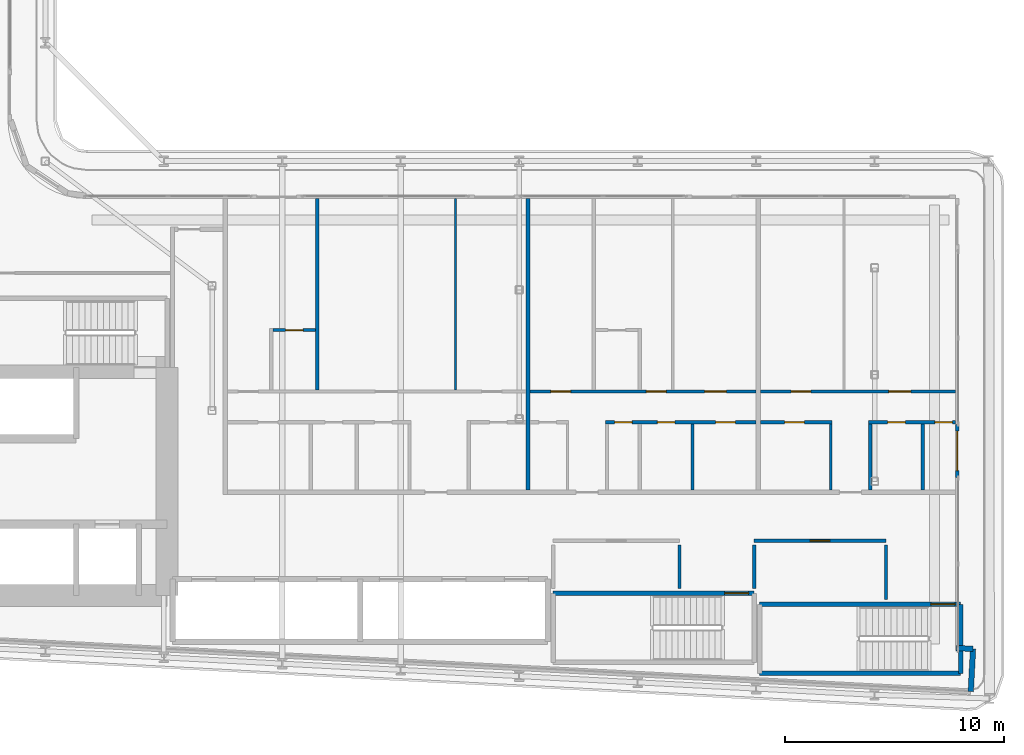
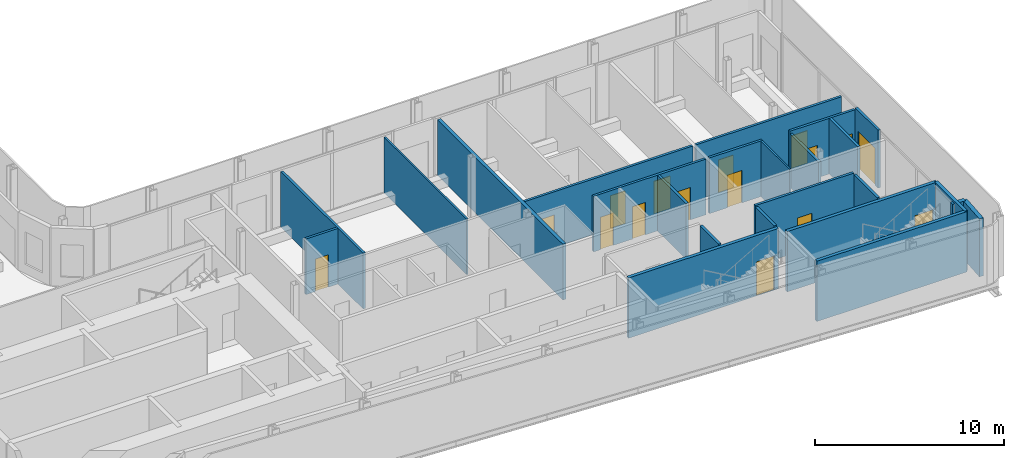
# One storey, part 14 of 25: 24 walls, 16 doors, 16 openings.
"""IFC4 building model written with IfcOpenShell, lengths in metres."""

from ifc_helpers import new_model, si_unit, direction, frame, frame_2d, origin, place, context, subcontext, project, spatial, rectangle, extrude, source, transform, mapped, material, layer, layer_set, type_object, element, fill, save


model = new_model("IFC4")

# Units and contexts
model_context = context("Model", 3, precision=1e-05, world=origin(), true_north=direction((0.0, 1.0)))
body_context = subcontext(model_context, "Body", "Model", "MODEL_VIEW")
ifc_project = project(units=[si_unit("LENGTHUNIT", "METRE"), si_unit("AREAUNIT", "SQUARE_METRE"), si_unit("VOLUMEUNIT", "CUBIC_METRE"), si_unit("PLANEANGLEUNIT", "RADIAN"), si_unit("MASSUNIT", "GRAM", prefix="KILO")], contexts=[model_context])

# Site, building, storey
site_placement = place(None, origin())
site = spatial("IfcSite", under=ifc_project, at=site_placement, CompositionType="ELEMENT")
building_placement = place(site_placement, origin())
building = spatial("IfcBuilding", under=site, at=building_placement, Name="Kheshtan School and Residences Tower", CompositionType="ELEMENT")
storey_placement = place(building_placement, frame((0.0, 0.0, 34.39990234375)))
storey = spatial("IfcBuildingStorey", under=building, at=storey_placement, Name="L07", CompositionType="ELEMENT", Elevation=34.39990234375)

# Walls
ifc_material_1 = material(Name="Concrete C40/50 with ceramic cladding and mineral wool insulation", Category="concrete")
ifc_layer_1 = layer(ifc_material_1, 0.25)
ifc_layer_set_1 = layer_set([ifc_layer_1], Name="External wall 250 ceramic clad")
wall_type_1 = type_object("IfcWallType", Name="External wall 250 ceramic clad", PredefinedType="SOLIDWALL", material=ifc_layer_set_1)
wall_1_placement = place(storey_placement, frame((89.10693359375, 23.407958984375, 0.0), z_axis=(0.0, 0.0, 1.0), x_axis=(0.998561284263, -0.053622398031, 0.0)))
element("IfcWall", 1, at=wall_1_placement, inside=storey, type_object=wall_type_1, Name="External wall L07 14", PredefinedType="SOLIDWALL", context=body_context, shape_type="SweptSolid", body=[
    extrude(rectangle(XDim=0.783203125, YDim=0.25, at=frame_2d((0.3916015625, 0.0))), origin(), (0.0, 0.0, 1.0), 3.75),
])
wall_2_placement = place(storey_placement, frame((89.888916015625, 23.365966796875, 0.0), z_axis=(0.0, 0.0, 1.0), x_axis=(-0.052841433274, -0.998602915542, 0.0)))
element("IfcWall", 2, at=wall_2_placement, inside=storey, type_object=wall_type_1, Name="External wall L07 15", PredefinedType="SOLIDWALL", context=body_context, shape_type="SweptSolid", body=[
    extrude(rectangle(XDim=1.94970703125, YDim=0.25, at=frame_2d((0.974853515625, 0.0))), origin(), (0.0, 0.0, 1.0), 3.75),
])

# Wall, opening, door
ifc_material_2 = material(Name="Aluminium frame wall with insulated infill", Category="aluminium")
ifc_layer_2 = layer(ifc_material_2, 0.14990234375)
ifc_layer_set_2 = layer_set([ifc_layer_2], Name="Glazing frame wall 150")
wall_type_2 = type_object("IfcWallType", Name="Glazing frame wall 150", PredefinedType="SOLIDWALL", material=ifc_layer_set_2)
wall_3_placement = place(storey_placement, frame((89.175048828125, 33.591064453125, 0.0), z_axis=(0.0, 0.0, 1.0), x_axis=(0.0, -1.0, 0.0)))
wall_3 = element("IfcWall", 3, at=wall_3_placement, inside=storey, type_object=wall_type_2, Name="Balcony door wall L07 13.2", PredefinedType="SOLIDWALL", context=body_context, shape_type="SweptSolid", body=[
    extrude(rectangle(XDim=2.400146484375, YDim=0.14990234375, at=frame_2d((1.2001953125, 0.0))), origin(), (0.0, 0.0, 1.0), 3.75),
])
opening_1_placement = place(wall_3_placement, frame((0.300048828125, 0.0, 0.0)))
opening_1 = element("IfcOpeningElement", 4, at=opening_1_placement, cuts=wall_3, Name="Opening BD", PredefinedType="OPENING", context=body_context, shape_type="SweptSolid", body=[
    extrude(rectangle(XDim=1.800048828125, YDim=2.39990234375, at=frame_2d((0.89990234375, 1.199951171875))), frame((0.0, 0.0849609375, 0.0), z_axis=(0.0, -1.0, 0.0), x_axis=(1.0, 0.0, 0.0)), (0.0, 0.0, 1.0), 0.169921875),
])
ifc_material_3 = material(Name="Clear low-e glass in thermally broken aluminium frame", Category="aluminium")
door_type_1 = type_object("IfcDoorType", Name="Balcony sliding door", OperationType="SLIDING_TO_LEFT", PredefinedType="DOOR", material=ifc_material_3)
shared_shape_1 = source(origin(), body_context, "Body", "SweptSolid", [
    extrude(rectangle(XDim=1.800048828125, YDim=2.39990234375, at=frame_2d((0.89990234375, 1.199951171875))), frame((0.0, 0.02490234375, 0.0), z_axis=(0.0, -1.0, 0.0), x_axis=(1.0, 0.0, 0.0)), (0.0, 0.0, 1.0), 0.050048828125),
])
door_1_placement = place(opening_1_placement, origin())
door_1 = element("IfcDoor", 5, at=door_1_placement, inside=storey, type_object=door_type_1, Name="Balcony door L07 13.2", OperationType="SLIDING_TO_LEFT", OverallHeight=2.39990234375, OverallWidth=1.800048828125, PredefinedType="DOOR", context=body_context, shape_type="MappedRepresentation", body=[
    mapped(shared_shape_1, transform((0.0, 0.0, 0.0), x_axis=(1.0, 0.0, 0.0), y_axis=(0.0, 1.0, 0.0), z_axis=(0.0, 0.0, 1.0), scale=1.0)),
])
fill(opening_1, door_1)

# Walls
ifc_material_4 = material(Name="Gypsum board on steel studs", Category="steel")
ifc_layer_3 = layer(ifc_material_4, 0.10009765625)
ifc_layer_set_3 = layer_set([ifc_layer_3], Name="Gypsum partition 100")
wall_type_3 = type_object("IfcWallType", Name="Gypsum partition 100", PredefinedType="PARTITIONING", material=ifc_layer_set_3)
wall_4_placement = place(storey_placement, frame((66.300048828125, 35.175048828125, 0.0), z_axis=(0.0, 0.0, 1.0), x_axis=(0.0, 1.0, 0.0)))
element("IfcWall", 6, at=wall_4_placement, inside=storey, type_object=wall_type_3, Name="Partition L07-057", PredefinedType="PARTITIONING", context=body_context, shape_type="SweptSolid", body=[
    extrude(rectangle(XDim=8.724853515625, YDim=0.10009765625, at=frame_2d((4.3623046875, 0.0))), origin(), (0.0, 0.0, 1.0), 3.60009765625),
])
wall_5_placement = place(storey_placement, frame((83.39990234375, 30.60009765625, 0.0), z_axis=(0.0, 0.0, 1.0), x_axis=(0.0, 1.0, 0.0)))
element("IfcWall", 7, at=wall_5_placement, inside=storey, type_object=wall_type_3, Name="Partition L07-075", PredefinedType="PARTITIONING", context=body_context, shape_type="SweptSolid", body=[
    extrude(rectangle(XDim=3.02490234375, YDim=0.10009765625, at=frame_2d((1.512451171875, 0.0))), origin(), (0.0, 0.0, 1.0), 3.60009765625),
])
ifc_material_5 = material(Name="Fire-board shaft wall system")
ifc_layer_4 = layer(ifc_material_5, 0.14990234375)
ifc_layer_set_4 = layer_set([ifc_layer_4], Name="Service room wall 150")
wall_type_4 = type_object("IfcWallType", Name="Service room wall 150", PredefinedType="PARTITIONING", material=ifc_layer_set_4)
wall_6_placement = place(storey_placement, frame((76.510009765625, 26.1201171875, 0.0), z_axis=(0.0, 0.0, 1.0), x_axis=(0.0, 1.0, 0.0)))
element("IfcWall", 8, at=wall_6_placement, inside=storey, type_object=wall_type_4, Name="Service room wall", PredefinedType="PARTITIONING", context=body_context, shape_type="SweptSolid", body=[
    extrude(rectangle(XDim=1.98486328125, YDim=0.14990234375, at=frame_2d((0.992431640625, 0.0))), origin(), (0.0, 0.0, 1.0), 3.900146484375),
])

# Wall, opening, door
wall_7_placement = place(storey_placement, frame((79.909912109375, 28.300048828125, 0.0), z_axis=(0.0, 0.0, 1.0), x_axis=(1.0, 0.0, 0.0)))
wall_7 = element("IfcWall", 9, at=wall_7_placement, inside=storey, type_object=wall_type_4, Name="Service room wall", PredefinedType="PARTITIONING", context=body_context, shape_type="SweptSolid", body=[
    extrude(rectangle(XDim=6.010009765625, YDim=0.14990234375, at=frame_2d((3.0048828125, 0.0))), origin(), (0.0, 0.0, 1.0), 3.900146484375),
])
opening_2_placement = place(wall_7_placement, frame((2.554931640625, 0.0, 0.0)))
opening_2 = element("IfcOpeningElement", 10, at=opening_2_placement, cuts=wall_7, Name="Opening SR90", PredefinedType="OPENING", context=body_context, shape_type="SweptSolid", body=[
    extrude(rectangle(XDim=0.89990234375, YDim=2.199951171875, at=frame_2d((0.449951171875, 1.10009765625))), frame((0.0, 0.0849609375, 0.0), z_axis=(0.0, -1.0, 0.0), x_axis=(1.0, 0.0, 0.0)), (0.0, 0.0, 1.0), 0.169921875),
])
ifc_material_6 = material(Name="Steel door leaf, galvanised", Category="steel")
door_type_2 = type_object("IfcDoorType", Name="Service room door 900 steel 90 min", OperationType="SINGLE_SWING_LEFT", PredefinedType="DOOR", material=ifc_material_6)
shared_shape_2 = source(origin(), body_context, "Body", "SweptSolid", [
    extrude(rectangle(XDim=0.89990234375, YDim=2.199951171875, at=frame_2d((0.449951171875, 1.10009765625))), frame((0.0, 0.02490234375, 0.0), z_axis=(0.0, -1.0, 0.0), x_axis=(1.0, 0.0, 0.0)), (0.0, 0.0, 1.0), 0.050048828125),
])
door_2_placement = place(opening_2_placement, origin())
door_2 = element("IfcDoor", 11, at=door_2_placement, inside=storey, type_object=door_type_2, Name="Service room door", OperationType="SINGLE_SWING_LEFT", OverallHeight=2.199951171875, OverallWidth=0.89990234375, PredefinedType="DOOR", context=body_context, shape_type="MappedRepresentation", body=[
    mapped(shared_shape_2, transform((0.0, 0.0, 0.0), x_axis=(1.0, 0.0, 0.0), y_axis=(0.0, 1.0, 0.0), z_axis=(0.0, 0.0, 1.0), scale=1.0)),
])
fill(opening_2, door_2)

# Walls
wall_8_placement = place(storey_placement, frame((79.909912109375, 26.1201171875, 0.0), z_axis=(0.0, 0.0, 1.0), x_axis=(0.0, 1.0, 0.0)))
element("IfcWall", 12, at=wall_8_placement, inside=storey, type_object=wall_type_4, Name="Service room wall", PredefinedType="PARTITIONING", context=body_context, shape_type="SweptSolid", body=[
    extrude(rectangle(XDim=1.98486328125, YDim=0.14990234375, at=frame_2d((0.992431640625, 0.0))), origin(), (0.0, 0.0, 1.0), 3.900146484375),
])
wall_9_placement = place(storey_placement, frame((85.919921875, 25.6201171875, 0.0), z_axis=(0.0, 0.0, 1.0), x_axis=(0.0, 1.0, 0.0)))
element("IfcWall", 13, at=wall_9_placement, inside=storey, type_object=wall_type_4, Name="Service room wall", PredefinedType="PARTITIONING", context=body_context, shape_type="SweptSolid", body=[
    extrude(rectangle(XDim=2.48486328125, YDim=0.14990234375, at=frame_2d((1.242431640625, 0.0))), origin(), (0.0, 0.0, 1.0), 3.900146484375),
])
ifc_material_7 = material(Name="Concrete C40/50", Category="concrete")
ifc_layer_5 = layer(ifc_material_7, 0.199951171875)
ifc_layer_set_5 = layer_set([ifc_layer_5], Name="Stair enclosure wall 200 Concrete C40/50")
wall_type_5 = type_object("IfcWallType", Name="Stair enclosure wall 200 Concrete C40/50", PredefinedType="SHEAR", material=ifc_layer_set_5)
wall_10_placement = place(storey_placement, frame((80.159912109375, 22.25, 0.0), z_axis=(0.0, 0.0, 1.0), x_axis=(1.0, 0.0, 0.0)))
element("IfcWall", 14, at=wall_10_placement, inside=storey, type_object=wall_type_5, Name="Stair enclosure wall ST4", PredefinedType="SHEAR", context=body_context, shape_type="SweptSolid", body=[
    extrude(rectangle(XDim=9.16015625, YDim=0.199951171875, at=frame_2d((4.580078125, 0.0))), origin(), (0.0, 0.0, 1.0), 3.900146484375),
])

# Wall, opening, door
wall_11_placement = place(storey_placement, frame((80.159912109375, 25.39990234375, 0.0), z_axis=(0.0, 0.0, 1.0), x_axis=(1.0, 0.0, 0.0)))
wall_11 = element("IfcWall", 15, at=wall_11_placement, inside=storey, type_object=wall_type_5, Name="Stair enclosure wall ST4", PredefinedType="SHEAR", context=body_context, shape_type="SweptSolid", body=[
    extrude(rectangle(XDim=9.16015625, YDim=0.199951171875, at=frame_2d((4.580078125, 0.0))), origin(), (0.0, 0.0, 1.0), 3.900146484375),
])
opening_3_placement = place(wall_11_placement, frame((7.81005859375, 0.0, 0.0)))
opening_3 = element("IfcOpeningElement", 16, at=opening_3_placement, cuts=wall_11, Name="Opening ST4D", PredefinedType="OPENING", context=body_context, shape_type="SweptSolid", body=[
    extrude(rectangle(XDim=1.10009765625, YDim=2.199951171875, at=frame_2d((0.550048828125, 1.10009765625))), frame((0.0, 0.10986328125, 0.0), z_axis=(0.0, -1.0, 0.0), x_axis=(1.0, 0.0, 0.0)), (0.0, 0.0, 1.0), 0.219970703125),
])
door_type_3 = type_object("IfcDoorType", Name="Stair door 1100 steel 90 min", OperationType="SINGLE_SWING_LEFT", PredefinedType="DOOR", material=ifc_material_6)
shared_shape_3 = source(origin(), body_context, "Body", "SweptSolid", [
    extrude(rectangle(XDim=1.10009765625, YDim=2.199951171875, at=frame_2d((0.550048828125, 1.10009765625))), frame((0.0, 0.02490234375, 0.0), z_axis=(0.0, -1.0, 0.0), x_axis=(1.0, 0.0, 0.0)), (0.0, 0.0, 1.0), 0.050048828125),
])
door_3_placement = place(opening_3_placement, origin())
door_3 = element("IfcDoor", 17, at=door_3_placement, inside=storey, type_object=door_type_3, Name="Stair ST4 door", OperationType="SINGLE_SWING_LEFT", OverallHeight=2.199951171875, OverallWidth=1.10009765625, PredefinedType="DOOR", context=body_context, shape_type="MappedRepresentation", body=[
    mapped(shared_shape_3, transform((0.0, 0.0, 0.0), x_axis=(1.0, 0.0, 0.0), y_axis=(0.0, 1.0, 0.0), z_axis=(0.0, 0.0, 1.0), scale=1.0)),
])
fill(opening_3, door_3)

# Wall
wall_12_placement = place(storey_placement, frame((89.320068359375, 22.25, 0.0), z_axis=(0.0, 0.0, 1.0), x_axis=(0.0, 1.0, 0.0)))
element("IfcWall", 18, at=wall_12_placement, inside=storey, type_object=wall_type_5, Name="Stair enclosure wall ST4", PredefinedType="SHEAR", context=body_context, shape_type="SweptSolid", body=[
    extrude(rectangle(XDim=3.14990234375, YDim=0.199951171875, at=frame_2d((1.574951171875, 0.0))), origin(), (0.0, 0.0, 1.0), 3.900146484375),
])

# Wall, opening, door
wall_13_placement = place(storey_placement, frame((70.75, 25.89990234375, 0.0), z_axis=(0.0, 0.0, 1.0), x_axis=(1.0, 0.0, 0.0)))
wall_13 = element("IfcWall", 19, at=wall_13_placement, inside=storey, type_object=wall_type_5, Name="Stair enclosure wall ST5", PredefinedType="SHEAR", context=body_context, shape_type="SweptSolid", body=[
    extrude(rectangle(XDim=9.159912109375, YDim=0.199951171875, at=frame_2d((4.580078125, 0.0))), origin(), (0.0, 0.0, 1.0), 3.900146484375),
])
opening_4_placement = place(wall_13_placement, frame((7.81005859375, 0.0, 0.0)))
opening_4 = element("IfcOpeningElement", 20, at=opening_4_placement, cuts=wall_13, Name="Opening ST5D", PredefinedType="OPENING", context=body_context, shape_type="SweptSolid", body=[
    extrude(rectangle(XDim=1.10009765625, YDim=2.199951171875, at=frame_2d((0.550048828125, 1.10009765625))), frame((0.0, 0.10986328125, 0.0), z_axis=(0.0, -1.0, 0.0), x_axis=(1.0, 0.0, 0.0)), (0.0, 0.0, 1.0), 0.219970703125),
])
door_4_placement = place(opening_4_placement, origin())
door_4 = element("IfcDoor", 21, at=door_4_placement, inside=storey, type_object=door_type_3, Name="Stair ST5 door", OperationType="SINGLE_SWING_LEFT", OverallHeight=2.199951171875, OverallWidth=1.10009765625, PredefinedType="DOOR", context=body_context, shape_type="MappedRepresentation", body=[
    mapped(shared_shape_3, transform((0.0, 0.0, 0.0), x_axis=(1.0, 0.0, 0.0), y_axis=(0.0, 1.0, 0.0), z_axis=(0.0, 0.0, 1.0), scale=1.0)),
])
fill(opening_4, door_4)

# Wall
ifc_material_8 = material(Name="Twin gypsum board on steel studs with mineral wool", Category="steel")
ifc_layer_6 = layer(ifc_material_8, 0.199951171875)
ifc_layer_set_6 = layer_set([ifc_layer_6], Name="Unit demising wall 200")
wall_type_6 = type_object("IfcWallType", Name="Unit demising wall 200", PredefinedType="PARTITIONING", material=ifc_layer_set_6)
wall_14_placement = place(storey_placement, frame((69.60009765625, 30.60009765625, 0.0), z_axis=(0.0, 0.0, 1.0), x_axis=(0.0, 1.0, 0.0)))
element("IfcWall", 22, at=wall_14_placement, inside=storey, type_object=wall_type_6, Name="Partition L07-060", PredefinedType="PARTITIONING", context=body_context, shape_type="SweptSolid", body=[
    extrude(rectangle(XDim=13.2998046875, YDim=0.199951171875, at=frame_2d((6.64990234375, 0.0))), origin(), (0.0, 0.0, 1.0), 3.60009765625),
])

# Wall, opening, door
ifc_material_9 = material(Name="Moisture-resistant gypsum board on steel studs", Category="steel")
ifc_layer_7 = layer(ifc_material_9, 0.14990234375)
ifc_layer_set_7 = layer_set([ifc_layer_7], Name="Wet-room partition 150")
wall_type_7 = type_object("IfcWallType", Name="Wet-room partition 150", PredefinedType="PARTITIONING", material=ifc_layer_set_7)
wall_15_placement = place(storey_placement, frame((57.97509765625, 37.89990234375, 0.0), z_axis=(0.0, 0.0, 1.0), x_axis=(1.0, 0.0, 0.0)))
wall_15 = element("IfcWall", 23, at=wall_15_placement, inside=storey, type_object=wall_type_7, Name="Partition L07-052", PredefinedType="PARTITIONING", context=body_context, shape_type="SweptSolid", body=[
    extrude(rectangle(XDim=1.949951171875, YDim=0.14990234375, at=frame_2d((0.97509765625, 0.0))), origin(), (0.0, 0.0, 1.0), 3.60009765625),
])
opening_5_placement = place(wall_15_placement, frame((0.574951171875, 0.0, 0.0)))
opening_5 = element("IfcOpeningElement", 24, at=opening_5_placement, cuts=wall_15, Name="Opening D06-003", PredefinedType="OPENING", context=body_context, shape_type="SweptSolid", body=[
    extrude(rectangle(XDim=0.800048828125, YDim=2.10009765625, at=frame_2d((0.39990234375, 1.050048828125))), frame((0.0, 0.0849609375, 0.0), z_axis=(0.0, -1.0, 0.0), x_axis=(1.0, 0.0, 0.0)), (0.0, 0.0, 1.0), 0.169921875),
])
ifc_material_10 = material(Name="Veneered timber door leaf", Category="wood")
door_type_4 = type_object("IfcDoorType", Name="Door 800 x 2100", OperationType="SINGLE_SWING_LEFT", PredefinedType="DOOR", material=ifc_material_10)
shared_shape_4 = source(origin(), body_context, "Body", "SweptSolid", [
    extrude(rectangle(XDim=0.800048828125, YDim=2.10009765625, at=frame_2d((0.39990234375, 1.050048828125))), frame((0.0, 0.02490234375, 0.0), z_axis=(0.0, -1.0, 0.0), x_axis=(1.0, 0.0, 0.0)), (0.0, 0.0, 1.0), 0.050048828125),
])
door_5_placement = place(opening_5_placement, origin())
door_5 = element("IfcDoor", 25, at=door_5_placement, inside=storey, type_object=door_type_4, Name="Door D06-003", OperationType="SINGLE_SWING_LEFT", OverallHeight=2.10009765625, OverallWidth=0.800048828125, PredefinedType="DOOR", context=body_context, shape_type="MappedRepresentation", body=[
    mapped(shared_shape_4, transform((0.0, 0.0, 0.0), x_axis=(1.0, 0.0, 0.0), y_axis=(0.0, 1.0, 0.0), z_axis=(0.0, 0.0, 1.0), scale=1.0)),
])
fill(opening_5, door_5)

# Wall
wall_16_placement = place(storey_placement, frame((60.0, 35.175048828125, 0.0), z_axis=(0.0, 0.0, 1.0), x_axis=(0.0, 1.0, 0.0)))
element("IfcWall", 26, at=wall_16_placement, inside=storey, type_object=wall_type_7, Name="Partition L07-054", PredefinedType="PARTITIONING", context=body_context, shape_type="SweptSolid", body=[
    extrude(rectangle(XDim=8.724853515625, YDim=0.14990234375, at=frame_2d((4.3623046875, 0.0))), origin(), (0.0, 0.0, 1.0), 3.60009765625),
])

# Wall, openings, doors
wall_17_placement = place(storey_placement, frame((69.699951171875, 35.10009765625, 0.0), z_axis=(0.0, 0.0, 1.0), x_axis=(1.0, 0.0, 0.0)))
wall_17 = element("IfcWall", 27, at=wall_17_placement, inside=storey, type_object=wall_type_7, Name="Partition L07-062", PredefinedType="PARTITIONING", context=body_context, shape_type="SweptSolid", body=[
    extrude(rectangle(XDim=10.300048828125, YDim=0.14990234375, at=frame_2d((5.14990234375, 0.0))), origin(), (0.0, 0.0, 1.0), 3.60009765625),
])
opening_6_placement = place(wall_17_placement, frame((0.949951171875, 0.0, 0.0)))
opening_6 = element("IfcOpeningElement", 28, at=opening_6_placement, cuts=wall_17, Name="Opening D06-011", PredefinedType="OPENING", context=body_context, shape_type="SweptSolid", body=[
    extrude(rectangle(XDim=0.89990234375, YDim=2.10009765625, at=frame_2d((0.449951171875, 1.050048828125))), frame((0.0, 0.0849609375, 0.0), z_axis=(0.0, -1.0, 0.0), x_axis=(1.0, 0.0, 0.0)), (0.0, 0.0, 1.0), 0.169921875),
])
opening_7_placement = place(wall_17_placement, frame((7.949951171875, 0.0, 0.0)))
opening_7 = element("IfcOpeningElement", 29, at=opening_7_placement, cuts=wall_17, Name="Opening D06-015", PredefinedType="OPENING", context=body_context, shape_type="SweptSolid", body=[
    extrude(rectangle(XDim=1.0, YDim=2.10009765625, at=frame_2d((0.5, 1.050048828125))), frame((0.0, 0.0849609375, 0.0), z_axis=(0.0, -1.0, 0.0), x_axis=(1.0, 0.0, 0.0)), (0.0, 0.0, 1.0), 0.169921875),
])
opening_8_placement = place(wall_17_placement, frame((5.300048828125, 0.0, 0.0)))
opening_8 = element("IfcOpeningElement", 30, at=opening_8_placement, cuts=wall_17, Name="Opening D06-016", PredefinedType="OPENING", context=body_context, shape_type="SweptSolid", body=[
    extrude(rectangle(XDim=0.89990234375, YDim=2.10009765625, at=frame_2d((0.449951171875, 1.050048828125))), frame((0.0, 0.0849609375, 0.0), z_axis=(0.0, -1.0, 0.0), x_axis=(1.0, 0.0, 0.0)), (0.0, 0.0, 1.0), 0.169921875),
])
door_type_5 = type_object("IfcDoorType", Name="Door 1000 x 2100", OperationType="SINGLE_SWING_LEFT", PredefinedType="DOOR", material=ifc_material_10)
shared_shape_5 = source(origin(), body_context, "Body", "SweptSolid", [
    extrude(rectangle(XDim=1.0, YDim=2.10009765625, at=frame_2d((0.5, 1.050048828125))), frame((0.0, 0.02490234375, 0.0), z_axis=(0.0, -1.0, 0.0), x_axis=(1.0, 0.0, 0.0)), (0.0, 0.0, 1.0), 0.050048828125),
])
door_6_placement = place(opening_7_placement, origin())
door_6 = element("IfcDoor", 31, at=door_6_placement, inside=storey, type_object=door_type_5, Name="Door D06-015", OperationType="SINGLE_SWING_LEFT", OverallHeight=2.10009765625, OverallWidth=1.0, PredefinedType="DOOR", context=body_context, shape_type="MappedRepresentation", body=[
    mapped(shared_shape_5, transform((0.0, 0.0, 0.0), x_axis=(1.0, 0.0, 0.0), y_axis=(0.0, 1.0, 0.0), z_axis=(0.0, 0.0, 1.0), scale=1.0)),
])
fill(opening_7, door_6)
door_type_6 = type_object("IfcDoorType", Name="Door 900 x 2100", OperationType="SINGLE_SWING_LEFT", PredefinedType="DOOR", material=ifc_material_10)
shared_shape_6 = source(origin(), body_context, "Body", "SweptSolid", [
    extrude(rectangle(XDim=0.89990234375, YDim=2.10009765625, at=frame_2d((0.449951171875, 1.050048828125))), frame((0.0, 0.02490234375, 0.0), z_axis=(0.0, -1.0, 0.0), x_axis=(1.0, 0.0, 0.0)), (0.0, 0.0, 1.0), 0.050048828125),
])
door_7_placement = place(opening_6_placement, origin())
door_7 = element("IfcDoor", 32, at=door_7_placement, inside=storey, type_object=door_type_6, Name="Door D06-011", OperationType="SINGLE_SWING_RIGHT", OverallHeight=2.10009765625, OverallWidth=0.89990234375, PredefinedType="DOOR", context=body_context, shape_type="MappedRepresentation", body=[
    mapped(shared_shape_6, transform((0.0, 0.0, 0.0), x_axis=(1.0, 0.0, 0.0), y_axis=(0.0, 1.0, 0.0), z_axis=(0.0, 0.0, 1.0), scale=1.0)),
])
fill(opening_6, door_7)
door_8_placement = place(opening_8_placement, origin())
door_8 = element("IfcDoor", 33, at=door_8_placement, inside=storey, type_object=door_type_6, Name="Door D06-016", OperationType="SINGLE_SWING_RIGHT", OverallHeight=2.10009765625, OverallWidth=0.89990234375, PredefinedType="DOOR", context=body_context, shape_type="MappedRepresentation", body=[
    mapped(shared_shape_6, transform((0.0, 0.0, 0.0), x_axis=(1.0, 0.0, 0.0), y_axis=(0.0, 1.0, 0.0), z_axis=(0.0, 0.0, 1.0), scale=1.0)),
])
fill(opening_8, door_8)

wall_18_placement = place(storey_placement, frame((73.125, 33.699951171875, 0.0), z_axis=(0.0, 0.0, 1.0), x_axis=(1.0, 0.0, 0.0)))
wall_18 = element("IfcWall", 34, at=wall_18_placement, inside=storey, type_object=wall_type_7, Name="Partition L07-066", PredefinedType="PARTITIONING", context=body_context, shape_type="SweptSolid", body=[
    extrude(rectangle(XDim=6.875, YDim=0.14990234375, at=frame_2d((3.4375, 0.0))), origin(), (0.0, 0.0, 1.0), 3.60009765625),
])
opening_9_placement = place(wall_18_placement, frame((2.375, 0.0, 0.0)))
opening_9 = element("IfcOpeningElement", 35, at=opening_9_placement, cuts=wall_18, Name="Opening D06-010", PredefinedType="OPENING", context=body_context, shape_type="SweptSolid", body=[
    extrude(rectangle(XDim=0.800048828125, YDim=2.10009765625, at=frame_2d((0.39990234375, 1.050048828125))), frame((0.0, 0.0849609375, 0.0), z_axis=(0.0, -1.0, 0.0), x_axis=(1.0, 0.0, 0.0)), (0.0, 0.0, 1.0), 0.169921875),
])
opening_10_placement = place(wall_18_placement, frame((5.02490234375, 0.0, 0.0)))
opening_10 = element("IfcOpeningElement", 36, at=opening_10_placement, cuts=wall_18, Name="Opening D06-014", PredefinedType="OPENING", context=body_context, shape_type="SweptSolid", body=[
    extrude(rectangle(XDim=0.89990234375, YDim=2.10009765625, at=frame_2d((0.449951171875, 1.050048828125))), frame((0.0, 0.0849609375, 0.0), z_axis=(0.0, -1.0, 0.0), x_axis=(1.0, 0.0, 0.0)), (0.0, 0.0, 1.0), 0.169921875),
])
opening_11_placement = place(wall_18_placement, frame((0.425048828125, 0.0, 0.0)))
opening_11 = element("IfcOpeningElement", 37, at=opening_11_placement, cuts=wall_18, Name="Opening D06-018", PredefinedType="OPENING", context=body_context, shape_type="SweptSolid", body=[
    extrude(rectangle(XDim=0.800048828125, YDim=2.10009765625, at=frame_2d((0.39990234375, 1.050048828125))), frame((0.0, 0.0849609375, 0.0), z_axis=(0.0, -1.0, 0.0), x_axis=(1.0, 0.0, 0.0)), (0.0, 0.0, 1.0), 0.169921875),
])
door_9_placement = place(opening_9_placement, origin())
door_9 = element("IfcDoor", 38, at=door_9_placement, inside=storey, type_object=door_type_4, Name="Door D06-010", OperationType="SINGLE_SWING_LEFT", OverallHeight=2.10009765625, OverallWidth=0.800048828125, PredefinedType="DOOR", context=body_context, shape_type="MappedRepresentation", body=[
    mapped(shared_shape_4, transform((0.0, 0.0, 0.0), x_axis=(1.0, 0.0, 0.0), y_axis=(0.0, 1.0, 0.0), z_axis=(0.0, 0.0, 1.0), scale=1.0)),
])
fill(opening_9, door_9)
door_10_placement = place(opening_11_placement, origin())
door_10 = element("IfcDoor", 39, at=door_10_placement, inside=storey, type_object=door_type_4, Name="Door D06-018", OperationType="SINGLE_SWING_LEFT", OverallHeight=2.10009765625, OverallWidth=0.800048828125, PredefinedType="DOOR", context=body_context, shape_type="MappedRepresentation", body=[
    mapped(shared_shape_4, transform((0.0, 0.0, 0.0), x_axis=(1.0, 0.0, 0.0), y_axis=(0.0, 1.0, 0.0), z_axis=(0.0, 0.0, 1.0), scale=1.0)),
])
fill(opening_11, door_10)
door_11_placement = place(opening_10_placement, origin())
door_11 = element("IfcDoor", 40, at=door_11_placement, inside=storey, type_object=door_type_6, Name="Door D06-014", OperationType="SINGLE_SWING_LEFT", OverallHeight=2.10009765625, OverallWidth=0.89990234375, PredefinedType="DOOR", context=body_context, shape_type="MappedRepresentation", body=[
    mapped(shared_shape_6, transform((0.0, 0.0, 0.0), x_axis=(1.0, 0.0, 0.0), y_axis=(0.0, 1.0, 0.0), z_axis=(0.0, 0.0, 1.0), scale=1.0)),
])
fill(opening_10, door_11)

# Wall
wall_19_placement = place(storey_placement, frame((77.10009765625, 30.60009765625, 0.0), z_axis=(0.0, 0.0, 1.0), x_axis=(0.0, 1.0, 0.0)))
element("IfcWall", 41, at=wall_19_placement, inside=storey, type_object=wall_type_7, Name="Partition L07-071", PredefinedType="PARTITIONING", context=body_context, shape_type="SweptSolid", body=[
    extrude(rectangle(XDim=3.02490234375, YDim=0.14990234375, at=frame_2d((1.512451171875, 0.0))), origin(), (0.0, 0.0, 1.0), 3.60009765625),
])

# Wall, opening, door
wall_20_placement = place(storey_placement, frame((80.199951171875, 33.699951171875, 0.0), z_axis=(0.0, 0.0, 1.0), x_axis=(1.0, 0.0, 0.0)))
wall_20 = element("IfcWall", 42, at=wall_20_placement, inside=storey, type_object=wall_type_7, Name="Partition L07-073", PredefinedType="PARTITIONING", context=body_context, shape_type="SweptSolid", body=[
    extrude(rectangle(XDim=3.25, YDim=0.14990234375, at=frame_2d((1.625, 0.0))), origin(), (0.0, 0.0, 1.0), 3.60009765625),
])
opening_12_placement = place(wall_20_placement, frame((1.10009765625, 0.0, 0.0)))
opening_12 = element("IfcOpeningElement", 43, at=opening_12_placement, cuts=wall_20, Name="Opening D06-022", PredefinedType="OPENING", context=body_context, shape_type="SweptSolid", body=[
    extrude(rectangle(XDim=0.89990234375, YDim=2.10009765625, at=frame_2d((0.449951171875, 1.050048828125))), frame((0.0, 0.0849609375, 0.0), z_axis=(0.0, -1.0, 0.0), x_axis=(1.0, 0.0, 0.0)), (0.0, 0.0, 1.0), 0.169921875),
])
door_12_placement = place(opening_12_placement, origin())
door_12 = element("IfcDoor", 44, at=door_12_placement, inside=storey, type_object=door_type_6, Name="Door D06-022", OperationType="SINGLE_SWING_RIGHT", OverallHeight=2.10009765625, OverallWidth=0.89990234375, PredefinedType="DOOR", context=body_context, shape_type="MappedRepresentation", body=[
    mapped(shared_shape_6, transform((0.0, 0.0, 0.0), x_axis=(1.0, 0.0, 0.0), y_axis=(0.0, 1.0, 0.0), z_axis=(0.0, 0.0, 1.0), scale=1.0)),
])
fill(opening_12, door_12)

# Wall, openings, doors
wall_21_placement = place(storey_placement, frame((80.199951171875, 35.10009765625, 0.0), z_axis=(0.0, 0.0, 1.0), x_axis=(1.0, 0.0, 0.0)))
wall_21 = element("IfcWall", 45, at=wall_21_placement, inside=storey, type_object=wall_type_7, Name="Partition L07-074", PredefinedType="PARTITIONING", context=body_context, shape_type="SweptSolid", body=[
    extrude(rectangle(XDim=8.900146484375, YDim=0.14990234375, at=frame_2d((4.4501953125, 0.0))), origin(), (0.0, 0.0, 1.0), 3.60009765625),
])
opening_13_placement = place(wall_21_placement, frame((1.39990234375, 0.0, 0.0)))
opening_13 = element("IfcOpeningElement", 46, at=opening_13_placement, cuts=wall_21, Name="Opening D06-020", PredefinedType="OPENING", context=body_context, shape_type="SweptSolid", body=[
    extrude(rectangle(XDim=0.89990234375, YDim=2.10009765625, at=frame_2d((0.449951171875, 1.050048828125))), frame((0.0, 0.0849609375, 0.0), z_axis=(0.0, -1.0, 0.0), x_axis=(1.0, 0.0, 0.0)), (0.0, 0.0, 1.0), 0.169921875),
])
opening_14_placement = place(wall_21_placement, frame((5.85009765625, 0.0, 0.0)))
opening_14 = element("IfcOpeningElement", 47, at=opening_14_placement, cuts=wall_21, Name="Opening D06-023", PredefinedType="OPENING", context=body_context, shape_type="SweptSolid", body=[
    extrude(rectangle(XDim=1.0, YDim=2.10009765625, at=frame_2d((0.5, 1.050048828125))), frame((0.0, 0.0849609375, 0.0), z_axis=(0.0, -1.0, 0.0), x_axis=(1.0, 0.0, 0.0)), (0.0, 0.0, 1.0), 0.169921875),
])
door_13_placement = place(opening_14_placement, origin())
door_13 = element("IfcDoor", 48, at=door_13_placement, inside=storey, type_object=door_type_5, Name="Door D06-023", OperationType="SINGLE_SWING_LEFT", OverallHeight=2.10009765625, OverallWidth=1.0, PredefinedType="DOOR", context=body_context, shape_type="MappedRepresentation", body=[
    mapped(shared_shape_5, transform((0.0, 0.0, 0.0), x_axis=(1.0, 0.0, 0.0), y_axis=(0.0, 1.0, 0.0), z_axis=(0.0, 0.0, 1.0), scale=1.0)),
])
fill(opening_14, door_13)
door_14_placement = place(opening_13_placement, origin())
door_14 = element("IfcDoor", 49, at=door_14_placement, inside=storey, type_object=door_type_6, Name="Door D06-020", OperationType="SINGLE_SWING_RIGHT", OverallHeight=2.10009765625, OverallWidth=0.89990234375, PredefinedType="DOOR", context=body_context, shape_type="MappedRepresentation", body=[
    mapped(shared_shape_6, transform((0.0, 0.0, 0.0), x_axis=(1.0, 0.0, 0.0), y_axis=(0.0, 1.0, 0.0), z_axis=(0.0, 0.0, 1.0), scale=1.0)),
])
fill(opening_13, door_14)

wall_22_placement = place(storey_placement, frame((85.125, 33.699951171875, 0.0), z_axis=(0.0, 0.0, 1.0), x_axis=(1.0, 0.0, 0.0)))
wall_22 = element("IfcWall", 50, at=wall_22_placement, inside=storey, type_object=wall_type_7, Name="Partition L07-077", PredefinedType="PARTITIONING", context=body_context, shape_type="SweptSolid", body=[
    extrude(rectangle(XDim=3.97509765625, YDim=0.14990234375, at=frame_2d((1.987548828125, 0.0))), origin(), (0.0, 0.0, 1.0), 3.60009765625),
])
opening_15_placement = place(wall_22_placement, frame((0.875, 0.0, 0.0)))
opening_15 = element("IfcOpeningElement", 51, at=opening_15_placement, cuts=wall_22, Name="Opening D06-019", PredefinedType="OPENING", context=body_context, shape_type="SweptSolid", body=[
    extrude(rectangle(XDim=0.800048828125, YDim=2.10009765625, at=frame_2d((0.39990234375, 1.050048828125))), frame((0.0, 0.0849609375, 0.0), z_axis=(0.0, -1.0, 0.0), x_axis=(1.0, 0.0, 0.0)), (0.0, 0.0, 1.0), 0.169921875),
])
opening_16_placement = place(wall_22_placement, frame((3.02490234375, 0.0, 0.0)))
opening_16 = element("IfcOpeningElement", 52, at=opening_16_placement, cuts=wall_22, Name="Opening D06-024", PredefinedType="OPENING", context=body_context, shape_type="SweptSolid", body=[
    extrude(rectangle(XDim=0.800048828125, YDim=2.10009765625, at=frame_2d((0.39990234375, 1.050048828125))), frame((0.0, 0.0849609375, 0.0), z_axis=(0.0, -1.0, 0.0), x_axis=(1.0, 0.0, 0.0)), (0.0, 0.0, 1.0), 0.169921875),
])
door_15_placement = place(opening_15_placement, origin())
door_15 = element("IfcDoor", 53, at=door_15_placement, inside=storey, type_object=door_type_4, Name="Door D06-019", OperationType="SINGLE_SWING_RIGHT", OverallHeight=2.10009765625, OverallWidth=0.800048828125, PredefinedType="DOOR", context=body_context, shape_type="MappedRepresentation", body=[
    mapped(shared_shape_4, transform((0.0, 0.0, 0.0), x_axis=(1.0, 0.0, 0.0), y_axis=(0.0, 1.0, 0.0), z_axis=(0.0, 0.0, 1.0), scale=1.0)),
])
fill(opening_15, door_15)
door_16_placement = place(opening_16_placement, origin())
door_16 = element("IfcDoor", 54, at=door_16_placement, inside=storey, type_object=door_type_4, Name="Door D06-024", OperationType="SINGLE_SWING_LEFT", OverallHeight=2.10009765625, OverallWidth=0.800048828125, PredefinedType="DOOR", context=body_context, shape_type="MappedRepresentation", body=[
    mapped(shared_shape_4, transform((0.0, 0.0, 0.0), x_axis=(1.0, 0.0, 0.0), y_axis=(0.0, 1.0, 0.0), z_axis=(0.0, 0.0, 1.0), scale=1.0)),
])
fill(opening_16, door_16)

# Walls
wall_23_placement = place(storey_placement, frame((85.199951171875, 30.60009765625, 0.0), z_axis=(0.0, 0.0, 1.0), x_axis=(0.0, 1.0, 0.0)))
element("IfcWall", 55, at=wall_23_placement, inside=storey, type_object=wall_type_7, Name="Partition L07-078", PredefinedType="PARTITIONING", context=body_context, shape_type="SweptSolid", body=[
    extrude(rectangle(XDim=3.02490234375, YDim=0.14990234375, at=frame_2d((1.512451171875, 0.0))), origin(), (0.0, 0.0, 1.0), 3.447021484375),
])
wall_24_placement = place(storey_placement, frame((87.60009765625, 30.60009765625, 0.0), z_axis=(0.0, 0.0, 1.0), x_axis=(0.0, 1.0, 0.0)))
element("IfcWall", 56, at=wall_24_placement, inside=storey, type_object=wall_type_7, Name="Partition L07-079", PredefinedType="PARTITIONING", context=body_context, shape_type="SweptSolid", body=[
    extrude(rectangle(XDim=3.02490234375, YDim=0.14990234375, at=frame_2d((1.512451171875, 0.0))), origin(), (0.0, 0.0, 1.0), 3.60009765625),
])

save(model, "model.ifc")
